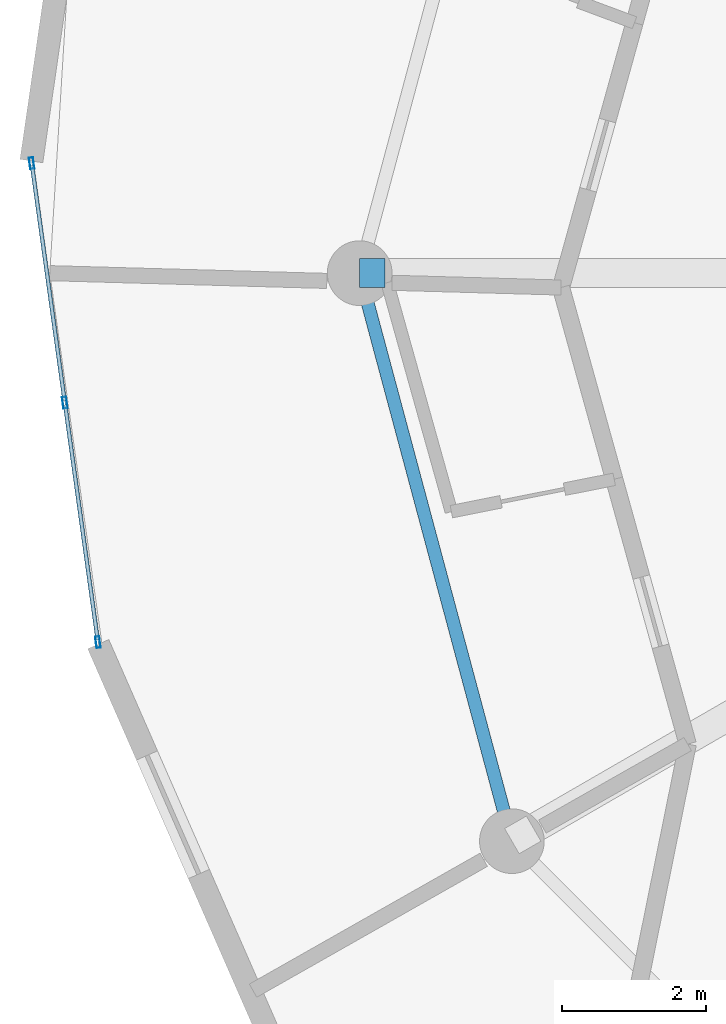
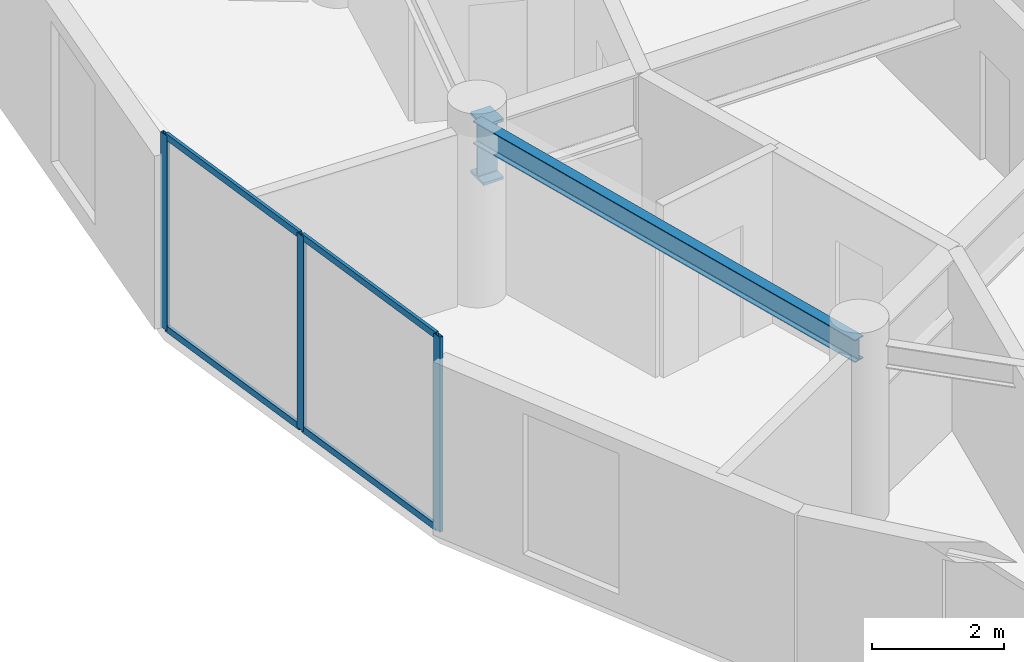
# One storey, part 6 of 22: 7 members, 2 beams, 1 element without a shape of its own.
"""IFC4 building model written with IfcOpenShell, lengths in metres."""

from ifc_helpers import new_model, si_unit, direction, frame, origin, origin_2d, place, context, subcontext, project, spatial, hollow_rectangle, i_section, extrude, source, transform, mapped, material, layer, layer_set, material_profile, profile_set, type_object, element, aggregate, save


model = new_model("IFC4")

# Units and contexts
model_context = context("Model", 3, precision=1e-05, world=origin(), true_north=direction((0.0, 1.0)))
body_context = subcontext(model_context, "Body", "Model", "MODEL_VIEW")
ifc_project = project(units=[si_unit("LENGTHUNIT", "METRE"), si_unit("AREAUNIT", "SQUARE_METRE"), si_unit("VOLUMEUNIT", "CUBIC_METRE"), si_unit("PLANEANGLEUNIT", "RADIAN"), si_unit("MASSUNIT", "GRAM", prefix="KILO")], contexts=[model_context])

# Site, building, storey
site_placement = place(None, origin())
site = spatial("IfcSite", under=ifc_project, at=site_placement, CompositionType="ELEMENT")
building_placement = place(site_placement, origin())
building = spatial("IfcBuilding", under=site, at=building_placement, Name="Solvirekh Grand Hotel", CompositionType="ELEMENT")
storey_placement = place(building_placement, frame((0.0, 0.0, 230.800048828125)))
storey = spatial("IfcBuildingStorey", under=building, at=storey_placement, Name="L60", CompositionType="ELEMENT", Elevation=230.800048828125)

# Beams
ifc_material_1 = material(Name="Steel S355", Category="steel")
ifc_material_profile_1 = material_profile(ifc_material_1, i_section(OverallWidth=0.180908203125, OverallDepth=0.4169921875, WebThickness=0.010009765625, FlangeThickness=0.01611328125, FilletRadius=0.011962890625, at=origin_2d()), Name="W410X85")
ifc_profile_set_1 = profile_set([ifc_material_profile_1], Name="Steel S355")
beam_type_1 = type_object("IfcBeamType", Name="Spandrel_Ring_W410", PredefinedType="SPANDREL", material=ifc_profile_set_1)
beam_1_placement = place(storey_placement, frame((-15.800048828125, 0.0, 2.991943359375), z_axis=(0.258838541915, -0.965920601923, 0.0), x_axis=(0.965920601923, 0.258838541915, 0.0)))
element("IfcBeam", 1, at=beam_1_placement, inside=storey, type_object=beam_type_1, Name="L60 perimeter spandrel beam 7", PredefinedType="SPANDREL", context=body_context, shape_type="SweptSolid", body=[
    extrude(i_section(OverallWidth=0.180908203125, OverallDepth=0.4169921875, WebThickness=0.010009765625, FlangeThickness=0.01611328125, FilletRadius=0.011962890625, at=origin_2d()), origin(), (0.0, 0.0, 1.0), 8.1787109375),
])
ifc_material_2 = material(Name="Steel S460", Category="steel")
ifc_material_profile_2 = material_profile(ifc_material_2, i_section(OverallWidth=0.405029296875, OverallDepth=1.117919921875, WebThickness=0.02587890625, FlangeThickness=0.048095703125, FilletRadius=0.02392578125, at=origin_2d()), Name="W1100X499")
ifc_profile_set_2 = profile_set([ifc_material_profile_2], Name="Steel S460")
beam_type_2 = type_object("IfcBeamType", Name="TransferGirder_W1100", PredefinedType="USERDEFINED", material=ifc_profile_set_2)
beam_2_placement = place(storey_placement, frame((-15.449951171875, 0.0, 2.640869140625), z_axis=(-1.0, 0.0, 0.0), x_axis=(0.0, -1.0, 0.0)))
element("IfcBeam", 2, at=beam_2_placement, inside=storey, type_object=beam_type_2, Name="L60 outer radial transfer girder 7B", ObjectType="TRANSFER GIRDER", PredefinedType="USERDEFINED", context=body_context, shape_type="SweptSolid", body=[
    extrude(i_section(OverallWidth=0.405029296875, OverallDepth=1.117919921875, WebThickness=0.02587890625, FlangeThickness=0.048095703125, FilletRadius=0.02392578125, at=origin_2d()), origin(), (0.0, 0.0, 1.0), 0.35009765625),
])

# Curtain wall, members
ifc_material_3 = material(Name="Anodized Bronze Aluminium 6063-T6", Category="aluminium")
ifc_layer = layer(ifc_material_3, 0.159912109375)
ifc_layer_set = layer_set([ifc_layer], Name="Anodized Bronze Aluminium 6063-T6")
curtain_wall_type = type_object("IfcCurtainWallType", Name="CW_Sys4_HighZoneFlushBronzeCW", PredefinedType="NOTDEFINED", material=ifc_layer_set)
curtain_wall_placement = place(storey_placement, origin())
curtain_wall = element("IfcCurtainWall", 3, at=curtain_wall_placement, inside=storey, type_object=curtain_wall_type, Name="L60 unitised bronze-glass curtain wall CW-L60-C15", PredefinedType="NOTDEFINED")
ifc_material_profile_3 = material_profile(ifc_material_3, hollow_rectangle(XDim=0.054931640625, YDim=0.1201171875, WallThickness=0.00390625, at=origin_2d()), Name="ALU RHS 120X55X4")
ifc_profile_set_3 = profile_set([ifc_material_profile_3], Name="Anodized Bronze Aluminium 6063-T6")
member_type_1 = type_object("IfcMemberType", Name="CWTransom_Sys4", PredefinedType="USERDEFINED", material=ifc_profile_set_3)
shared_shape_1 = source(origin(), body_context, "Body", "SweptSolid", [
    extrude(hollow_rectangle(XDim=0.054931640625, YDim=0.1201171875, WallThickness=0.00390625, at=origin_2d()), origin(), (0.0, 0.0, 1.0), 3.302490234375),
])
member_1_placement = place(storey_placement, frame((-20.357666015625, 1.50048828125, 0.02734375), z_axis=(0.137062665114, -0.990562378567, 0.0), x_axis=(0.990562378567, 0.137062665114, 0.0)))
member_1 = element("IfcMember", 4, at=member_1_placement, type_object=member_type_1, Name="U04 transom 1.1", ObjectType="TRANSOM", PredefinedType="USERDEFINED", context=body_context, shape_type="MappedRepresentation", body=[
    mapped(shared_shape_1, transform((0.0, 0.0, 0.0), x_axis=(1.0, 0.0, 0.0), y_axis=(0.0, 1.0, 0.0), z_axis=(0.0, 0.0, 1.0), scale=1.0)),
])
member_2_placement = place(storey_placement, frame((-20.357666015625, 1.50048828125, 3.572509765625), z_axis=(0.137062665114, -0.990562378567, 0.0), x_axis=(0.990562378567, 0.137062665114, 0.0)))
member_2 = element("IfcMember", 5, at=member_2_placement, type_object=member_type_1, Name="U04 transom 1.2", ObjectType="TRANSOM", PredefinedType="USERDEFINED", context=body_context, shape_type="MappedRepresentation", body=[
    mapped(shared_shape_1, transform((0.0, 0.0, 0.0), x_axis=(1.0, 0.0, 0.0), y_axis=(0.0, 1.0, 0.0), z_axis=(0.0, 0.0, 1.0), scale=1.0)),
])
member_3_placement = place(storey_placement, frame((-19.89697265625, -1.830322265625, 0.02734375), z_axis=(0.137062665114, -0.990562378567, 0.0), x_axis=(0.990562378567, 0.137062665114, 0.0)))
member_3 = element("IfcMember", 6, at=member_3_placement, type_object=member_type_1, Name="U04 transom 2.1", ObjectType="TRANSOM", PredefinedType="USERDEFINED", context=body_context, shape_type="MappedRepresentation", body=[
    mapped(shared_shape_1, transform((0.0, 0.0, 0.0), x_axis=(1.0, 0.0, 0.0), y_axis=(0.0, 1.0, 0.0), z_axis=(0.0, 0.0, 1.0), scale=1.0)),
])
member_4_placement = place(storey_placement, frame((-19.89697265625, -1.830322265625, 3.572509765625), z_axis=(0.137062665114, -0.990562378567, 0.0), x_axis=(0.990562378567, 0.137062665114, 0.0)))
member_4 = element("IfcMember", 7, at=member_4_placement, type_object=member_type_1, Name="U04 transom 2.2", ObjectType="TRANSOM", PredefinedType="USERDEFINED", context=body_context, shape_type="MappedRepresentation", body=[
    mapped(shared_shape_1, transform((0.0, 0.0, 0.0), x_axis=(1.0, 0.0, 0.0), y_axis=(0.0, 1.0, 0.0), z_axis=(0.0, 0.0, 1.0), scale=1.0)),
])
ifc_material_profile_4 = material_profile(ifc_material_3, hollow_rectangle(XDim=0.06005859375, YDim=0.159912109375, WallThickness=0.0048828125, at=origin_2d()), Name="ALU RHS 160X60X5")
ifc_profile_set_4 = profile_set([ifc_material_profile_4], Name="Anodized Bronze Aluminium 6063-T6")
member_type_2 = type_object("IfcMemberType", Name="CWMullion_Sys4", PredefinedType="MULLION", material=ifc_profile_set_4)
shared_shape_2 = source(origin(), body_context, "Body", "SweptSolid", [
    extrude(hollow_rectangle(XDim=0.06005859375, YDim=0.159912109375, WallThickness=0.0048828125, at=origin_2d()), origin(), (0.0, 0.0, 1.0), 3.599853515625),
])
member_5_placement = place(storey_placement, frame((-20.36181640625, 1.5302734375, 0.0), z_axis=(0.0, 0.0, 1.0), x_axis=(0.990561876778, 0.13706629153, 0.0)))
member_5 = element("IfcMember", 8, at=member_5_placement, type_object=member_type_2, Name="U04 mullion 1", PredefinedType="MULLION", context=body_context, shape_type="MappedRepresentation", body=[
    mapped(shared_shape_2, transform((0.0, 0.0, 0.0), x_axis=(1.0, 0.0, 0.0), y_axis=(0.0, 1.0, 0.0), z_axis=(0.0, 0.0, 1.0), scale=1.0)),
])
member_6_placement = place(storey_placement, frame((-19.90087890625, -1.800537109375, 0.0), z_axis=(0.0, 0.0, 1.0), x_axis=(0.990561876778, 0.13706629153, 0.0)))
member_6 = element("IfcMember", 9, at=member_6_placement, type_object=member_type_2, Name="U04 mullion 2", PredefinedType="MULLION", context=body_context, shape_type="MappedRepresentation", body=[
    mapped(shared_shape_2, transform((0.0, 0.0, 0.0), x_axis=(1.0, 0.0, 0.0), y_axis=(0.0, 1.0, 0.0), z_axis=(0.0, 0.0, 1.0), scale=1.0)),
])
member_7_placement = place(storey_placement, frame((-19.440185546875, -5.13134765625, 0.0), z_axis=(0.0, 0.0, 1.0), x_axis=(0.990561876778, 0.13706629153, 0.0)))
member_7 = element("IfcMember", 10, at=member_7_placement, type_object=member_type_2, Name="U04 mullion 3", PredefinedType="MULLION", context=body_context, shape_type="MappedRepresentation", body=[
    mapped(shared_shape_2, transform((0.0, 0.0, 0.0), x_axis=(1.0, 0.0, 0.0), y_axis=(0.0, 1.0, 0.0), z_axis=(0.0, 0.0, 1.0), scale=1.0)),
])
aggregate(curtain_wall, [member_5, member_6, member_7, member_1, member_2, member_3, member_4])

save(model, "model.ifc")
